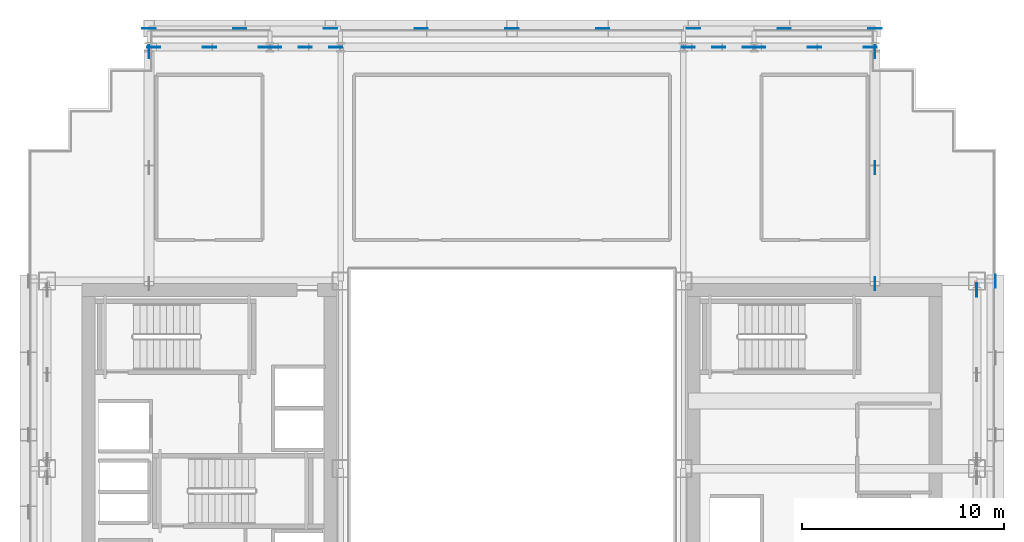
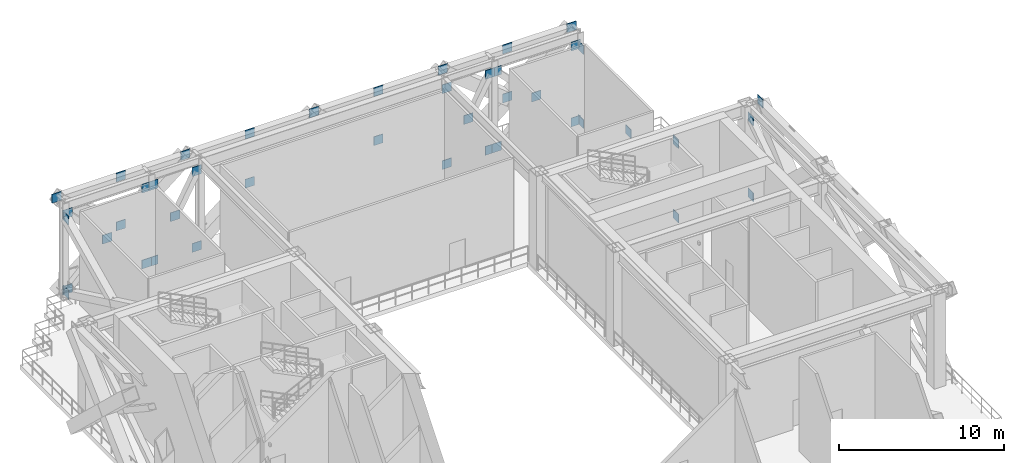
# One storey, part 6 of 14: 43 plates.
"""IFC4 building model written with IfcOpenShell, lengths in metres."""

import ifcopenshell
import ifcopenshell.guid

model = None  # the IFC model being written
_history = None  # IfcOwnerHistory: only IFC2X3 demands one
_inside = {}  # id of a spatial element -> (the spatial element, [elements in it])
_under = {}  # id of a project, library or spatial element -> (it, [spatial elements below it])
_declared = {}  # id of a project -> (the project, [libraries it declares])
_typed = {}  # id of a type object -> (the type object, [elements of that type])
_made_of = {}  # id of a material, layer set ... -> (it, [elements and type objects made of it])


def new_model(schema):
    """Start an empty IFC model of exactly this schema.

    Asked for "IFC4X3", IfcOpenShell would pick the latest addendum, in which some entities
    have other attributes; the version numbers below select the first issue.
    IFC2X3 requires an IfcOwnerHistory on every rooted entity: one is made here for all.
    """
    global model, _history
    if schema == "IFC4X3":
        model = ifcopenshell.file(schema_version=(4, 3, 0, 0))
    else:
        model = ifcopenshell.file(schema=schema)
    _inside.clear()
    _under.clear()
    _declared.clear()
    _typed.clear()
    _made_of.clear()
    _history = None
    if model.schema == "IFC2X3":
        org = make("IfcOrganization", Name="unknown")
        user = make(
            "IfcPersonAndOrganization",
            ThePerson=make("IfcPerson", FamilyName="unknown"),
            TheOrganization=org,
        )
        app = make(
            "IfcApplication",
            ApplicationDeveloper=org,
            Version="unknown",
            ApplicationFullName="unknown",
            ApplicationIdentifier="unknown",
        )
        _history = make(
            "IfcOwnerHistory",
            OwningUser=user,
            OwningApplication=app,
            ChangeAction="ADDED",
            CreationDate=0,
        )
    return model


def make(cls, **values):
    """One entity of the class cls with the attributes given. An attribute that is None is left unset."""
    return model.create_entity(
        cls, **{name: value for name, value in values.items() if value is not None}
    )


def rooted(cls, **values):
    """An entity with a GlobalId (a new one), such as an element, a storey or a relation."""
    return make(cls, GlobalId=ifcopenshell.guid.new(), OwnerHistory=_history, **values)


def si_unit(unit_type, name, prefix=None):
    """IfcSIUnit, for example si_unit("LENGTHUNIT", "METRE", prefix="MILLI")."""
    return make("IfcSIUnit", UnitType=unit_type, Prefix=prefix, Name=name)


def assignment(units):
    """IfcUnitAssignment: the units of a project."""
    return None if units is None else make("IfcUnitAssignment", Units=units)


def point(xyz):
    """IfcCartesianPoint."""
    return None if xyz is None else make("IfcCartesianPoint", Coordinates=xyz)


def direction(xyz):
    """IfcDirection."""
    return None if xyz is None else make("IfcDirection", DirectionRatios=xyz)


def frame(location, z_axis=None, x_axis=None):
    """IfcAxis2Placement3D, a coordinate frame: its origin and axes. An axis left out is left unset."""
    return make(
        "IfcAxis2Placement3D",
        Location=point(location),
        Axis=direction(z_axis),
        RefDirection=direction(x_axis),
    )


def frame_2d(location, x_axis=None):
    """IfcAxis2Placement2D, a coordinate frame in the plane: its origin and x axis."""
    return make(
        "IfcAxis2Placement2D", Location=point(location), RefDirection=direction(x_axis)
    )


def origin():
    """The frame at (0, 0, 0) with its axes left unset."""
    return frame((0.0, 0.0, 0.0))


def origin_2d():
    """The frame at (0, 0) in the plane with its x axis left unset."""
    return frame_2d((0.0, 0.0))


def place(relative_to, where):
    """IfcLocalPlacement: puts the frame where relative to a parent placement (None: the world)."""
    return make(
        "IfcLocalPlacement", PlacementRelTo=relative_to, RelativePlacement=where
    )


def context(
    kind, dimensions, precision=None, world=None, true_north=None, identifier=None
):
    """IfcGeometricRepresentationContext, for example the 3D "Model" context."""
    return make(
        "IfcGeometricRepresentationContext",
        ContextIdentifier=identifier,
        ContextType=kind,
        CoordinateSpaceDimension=dimensions,
        Precision=precision,
        WorldCoordinateSystem=world,
        TrueNorth=true_north,
    )


def subcontext(parent, identifier, kind, view, scale=None):
    """IfcGeometricRepresentationSubContext, for example "Body" below "Model"."""
    return make(
        "IfcGeometricRepresentationSubContext",
        ContextIdentifier=identifier,
        ContextType=kind,
        ParentContext=parent,
        TargetScale=scale,
        TargetView=view,
    )


def project(units=None, contexts=None):
    """IfcProject with its units and contexts."""
    return rooted(
        "IfcProject",
        Name="project",
        RepresentationContexts=contexts,
        UnitsInContext=assignment(units),
    )


def spatial(cls, under=None, at=None, **own):
    """A site, building, storey or space (cls), placed at a placement, below another one or the project."""
    s = rooted(cls, ObjectPlacement=at, **own)
    if under is not None:
        _under.setdefault(under.id(), (under, []))[1].append(s)
    return s


def profile(cls, at=None, kind="AREA", **sizes):
    """A parametric profile (cls). Its sizes go by their IFC names, for example OverallWidth=200.0."""
    return make(cls, ProfileType=kind, Position=at, **sizes)


def rectangle(**sizes):
    """IfcRectangleProfileDef."""
    return profile("IfcRectangleProfileDef", **sizes)


def extrude(swept, where, along, depth):
    """IfcExtrudedAreaSolid: the profile swept, set in the frame where, extruded along a direction by depth."""
    return make(
        "IfcExtrudedAreaSolid",
        SweptArea=swept,
        Position=where,
        ExtrudedDirection=direction(along),
        Depth=depth,
    )


def shape(context_of_items, identifier, shape_type, items):
    """IfcShapeRepresentation: the items that make up one representation, for example the "Body"."""
    return make(
        "IfcShapeRepresentation",
        ContextOfItems=context_of_items,
        RepresentationIdentifier=identifier,
        RepresentationType=shape_type,
        Items=items,
    )


def source(mapping_origin, context_of_items, identifier, shape_type, items):
    """IfcRepresentationMap: a shape defined once, which mapped items show again and again."""
    return make(
        "IfcRepresentationMap",
        MappingOrigin=mapping_origin,
        MappedRepresentation=shape(context_of_items, identifier, shape_type, items),
    )


def transform(
    local_origin,
    x_axis=None,
    y_axis=None,
    z_axis=None,
    scale=None,
    scale2=None,
    scale3=None,
    uniform=True,
):
    """IfcCartesianTransformationOperator3D, or its non-uniform kind. x_axis, y_axis, z_axis: its Axis1, 2, 3."""
    if uniform:
        return make(
            "IfcCartesianTransformationOperator3D",
            Axis1=direction(x_axis),
            Axis2=direction(y_axis),
            LocalOrigin=point(local_origin),
            Scale=scale,
            Axis3=direction(z_axis),
        )
    return make(
        "IfcCartesianTransformationOperator3DnonUniform",
        Axis1=direction(x_axis),
        Axis2=direction(y_axis),
        LocalOrigin=point(local_origin),
        Scale=scale,
        Axis3=direction(z_axis),
        Scale2=scale2,
        Scale3=scale3,
    )


def mapped(mapping_source, mapping_target):
    """IfcMappedItem: shows the shape of a source again, moved by a transform."""
    return make(
        "IfcMappedItem", MappingSource=mapping_source, MappingTarget=mapping_target
    )


def material(Name=None, Category=None):
    """IfcMaterial."""
    return make("IfcMaterial", Name=Name, Category=Category)


def layer(
    of_material, thickness, ventilated=None, Name=None, Category=None, Priority=None
):
    """IfcMaterialLayer: one layer of a wall or slab, of a material (None: an air gap)."""
    return make(
        "IfcMaterialLayer",
        Material=of_material,
        LayerThickness=thickness,
        IsVentilated=ventilated,
        Name=Name,
        Category=Category,
        Priority=Priority,
    )


def layer_set(layers, Name=None):
    """IfcMaterialLayerSet."""
    return make("IfcMaterialLayerSet", MaterialLayers=layers, LayerSetName=Name)


def made_of(thing, what):
    """Note that an element or type object is made of a material, layer set ...; save() writes the relation."""
    if what is not None:
        _made_of.setdefault(what.id(), (what, []))[1].append(thing)
    return thing


def type_object(cls, material=None, **own):
    """A type object (cls), such as IfcWallType, which elements share."""
    return made_of(rooted(cls, **own), material)


def element(
    cls,
    number,
    at=None,
    inside=None,
    cuts=None,
    type_object=None,
    material=None,
    context=None,
    identifier="Body",
    shape_type=None,
    held_by="IfcProductDefinitionShape",
    body=None,
    shapes=None,
    **own,
):
    """One element of the class cls, such as IfcWall. Its Tag is "e" and its number.

    at: its placement. inside: the storey or other place that contains it. cuts: it is an
    opening in that element (IfcRelVoidsElement). A single representation is given by context,
    identifier, shape_type and body (its items); several are given by shapes. held_by: the class
    of the entity that holds the representations. save() writes the other relations.
    """
    e = rooted(cls, Tag="e%d" % number, ObjectPlacement=at, **own)
    if body is not None:
        shapes = [shape(context, identifier, shape_type, body)]
    if shapes is not None:
        e.Representation = make(held_by, Representations=shapes)
    if inside is not None:
        _inside.setdefault(inside.id(), (inside, []))[1].append(e)
    if cuts is not None:
        rooted(
            "IfcRelVoidsElement", RelatingBuildingElement=cuts, RelatedOpeningElement=e
        )
    if type_object is not None:
        _typed.setdefault(type_object.id(), (type_object, []))[1].append(e)
    return made_of(e, material)


def aggregate(whole, parts):
    """IfcRelAggregates: a whole, such as a stair, and the parts it consists of."""
    return rooted("IfcRelAggregates", RelatingObject=whole, RelatedObjects=parts)


def save(model, path):
    """Write the relations noted so far, then the file.

    IfcRelAggregates (storeys below a building ...), IfcRelContainedInSpatialStructure (elements
    in a storey), IfcRelDefinesByType, IfcRelAssociatesMaterial and IfcRelDeclares: one each for
    every whole, place, type object, material and project.
    """
    for whole, parts in _under.values():
        aggregate(whole, parts)
    for where, things in _inside.values():
        rooted(
            "IfcRelContainedInSpatialStructure",
            RelatedElements=things,
            RelatingStructure=where,
        )
    for kind, things in _typed.values():
        rooted("IfcRelDefinesByType", RelatedObjects=things, RelatingType=kind)
    for what, things in _made_of.values():
        rooted("IfcRelAssociatesMaterial", RelatedObjects=things, RelatingMaterial=what)
    for by, libraries in _declared.values():
        rooted("IfcRelDeclares", RelatingContext=by, RelatedDefinitions=libraries)
    model.write(path)


model = new_model("IFC4")

# Units and contexts
model_context = context("Model", 3, precision=1e-05, world=origin(), true_north=direction((0.0, 1.0)))
body_context = subcontext(model_context, "Body", "Model", "MODEL_VIEW")
ifc_project = project(units=[si_unit("LENGTHUNIT", "METRE"), si_unit("AREAUNIT", "SQUARE_METRE"), si_unit("VOLUMEUNIT", "CUBIC_METRE"), si_unit("PLANEANGLEUNIT", "RADIAN"), si_unit("MASSUNIT", "GRAM", prefix="KILO")], contexts=[model_context])

# Site, building, storey
site_placement = place(None, origin())
site = spatial("IfcSite", under=ifc_project, at=site_placement, CompositionType="ELEMENT")
building_placement = place(site_placement, origin())
building = spatial("IfcBuilding", under=site, at=building_placement, Name="Ocotamira Hotel", CompositionType="ELEMENT")
storey_placement = place(building_placement, frame((0.0, 0.0, 85.199951171875)))
storey = spatial("IfcBuildingStorey", under=building, at=storey_placement, Name="L21", CompositionType="ELEMENT", Elevation=85.199951171875)

# Plates
ifc_material = material(Name="Pale-metal coated steel ASTM A572 Grade 50", Category="steel")
ifc_layer = layer(ifc_material, 0.0400390625)
ifc_layer_set = layer_set([ifc_layer], Name="Pale-metal coated steel ASTM A572 Grade 50")
plate_type = type_object("IfcPlateType", Name="PLT-GUSSET-40", PredefinedType="SHEET", material=ifc_layer_set)
shared_shape_1 = source(origin(), body_context, "Body", "SweptSolid", [
    extrude(rectangle(XDim=0.64990234375, YDim=0.0400390625, at=origin_2d()), origin(), (0.0, 0.0, 1.0), 0.64990234375),
])
for number, where, z_axis, x_axis, name in (
    (1, (14.239990234375, 49.050048828125, 0.025146484375), (0.0, 0.0, 1.0), (1.0, 0.0, 0.0), "L21 Belt Truss Diagonal 14,49.05 A End Gusset A"),
    (2, (19.760009765625, 49.050048828125, 5.635009765625), (0.0, 0.0, 1.0), (1.0, 0.0, 0.0), "L21 Belt Truss Diagonal 14,49.05 A End Gusset B"),
    (3, (17.0, 49.050048828125, 2.830078125), (0.0, 0.0, 1.0), (1.0, 0.0, 0.0), "L21 Belt Truss Diagonal 14,49.05 B Crossing Gusset Plate"),
    (4, (14.239990234375, 49.050048828125, 5.635009765625), (0.0, 0.0, 1.0), (1.0, 0.0, 0.0), "L21 Belt Truss Diagonal 14,49.05 B End Gusset A"),
    (5, (19.760009765625, 49.050048828125, 0.025146484375), (0.0, 0.0, 1.0), (1.0, 0.0, 0.0), "L21 Belt Truss Diagonal 14,49.05 B End Gusset B"),
    (6, (20.239990234375, 49.050048828125, 0.025146484375), (0.0, 0.0, 1.0), (1.0, 0.0, 0.0), "L21 Belt Truss Diagonal 20,49.05 A End Gusset A"),
    (7, (23.260009765625, 49.050048828125, 5.635009765625), (0.0, 0.0, 1.0), (1.0, 0.0, 0.0), "L21 Belt Truss Diagonal 20,49.05 A End Gusset B"),
    (8, (21.75, 49.050048828125, 2.830078125), (0.0, 0.0, 1.0), (1.0, 0.0, 0.0), "L21 Belt Truss Diagonal 20,49.05 B Crossing Gusset Plate"),
    (9, (20.239990234375, 49.050048828125, 5.635009765625), (0.0, 0.0, 1.0), (1.0, 0.0, 0.0), "L21 Belt Truss Diagonal 20,49.05 B End Gusset A"),
    (10, (23.260009765625, 49.050048828125, 0.025146484375), (0.0, 0.0, 1.0), (1.0, 0.0, 0.0), "L21 Belt Truss Diagonal 20,49.05 B End Gusset B"),
    (11, (40.739990234375, 49.050048828125, 0.025146484375), (0.0, 0.0, 1.0), (1.0, 0.0, 0.0), "L21 Belt Truss Diagonal 40.5,49.05 A End Gusset A"),
    (12, (43.760009765625, 49.050048828125, 5.635009765625), (0.0, 0.0, 1.0), (1.0, 0.0, 0.0), "L21 Belt Truss Diagonal 40.5,49.05 A End Gusset B"),
    (13, (42.25, 49.050048828125, 2.830078125), (0.0, 0.0, 1.0), (1.0, 0.0, 0.0), "L21 Belt Truss Diagonal 40.5,49.05 B Crossing Gusset Plate"),
    (14, (40.739990234375, 49.050048828125, 5.635009765625), (0.0, 0.0, 1.0), (1.0, 0.0, 0.0), "L21 Belt Truss Diagonal 40.5,49.05 B End Gusset A"),
    (15, (43.760009765625, 49.050048828125, 0.025146484375), (0.0, 0.0, 1.0), (1.0, 0.0, 0.0), "L21 Belt Truss Diagonal 40.5,49.05 B End Gusset B"),
    (16, (44.239990234375, 49.050048828125, 0.025146484375), (0.0, 0.0, 1.0), (1.0, 0.0, 0.0), "L21 Belt Truss Diagonal 44,49.05 A End Gusset A"),
    (17, (49.760009765625, 49.050048828125, 5.635009765625), (0.0, 0.0, 1.0), (1.0, 0.0, 0.0), "L21 Belt Truss Diagonal 44,49.05 A End Gusset B"),
    (18, (47.0, 49.050048828125, 2.830078125), (0.0, 0.0, 1.0), (1.0, 0.0, 0.0), "L21 Belt Truss Diagonal 44,49.05 B Crossing Gusset Plate"),
    (19, (44.239990234375, 49.050048828125, 5.635009765625), (0.0, 0.0, 1.0), (1.0, 0.0, 0.0), "L21 Belt Truss Diagonal 44,49.05 B End Gusset A"),
    (20, (49.760009765625, 49.050048828125, 0.025146484375), (0.0, 0.0, 1.0), (1.0, 0.0, 0.0), "L21 Belt Truss Diagonal 44,49.05 B End Gusset B"),
    (21, (23.0, 49.969970703125, 6.34521484375), (0.0, 0.0, 1.0), (1.0, 0.0, 0.0), "L21 Exoskeleton Diagrid N0.1 End Gusset B"),
    (22, (18.5, 49.969970703125, 2.72509765625), (0.0, 0.0, 1.0), (-1.0, 0.0, 0.0), "L21 Exoskeleton Diagrid N0.2 Crossing Gusset Plate"),
    (23, (14.0, 49.969970703125, 6.34521484375), (0.0, 0.0, 1.0), (-1.0, 0.0, 0.0), "L21 Exoskeleton Diagrid N0.2 End Gusset B"),
    (24, (32.0, 49.969970703125, 6.34521484375), (0.0, 0.0, 1.0), (1.0, 0.0, 0.0), "L21 Exoskeleton Diagrid N1.1 End Gusset B"),
    (25, (27.5, 49.969970703125, 2.72509765625), (0.0, 0.0, 1.0), (-1.0, 0.0, 0.0), "L21 Exoskeleton Diagrid N1.2 Crossing Gusset Plate"),
    (26, (41.0, 49.969970703125, 6.34521484375), (0.0, 0.0, 1.0), (1.0, 0.0, 0.0), "L21 Exoskeleton Diagrid N2.1 End Gusset B"),
    (27, (36.5, 49.969970703125, 2.72509765625), (0.0, 0.0, 1.0), (-1.0, 0.0, 0.0), "L21 Exoskeleton Diagrid N2.2 Crossing Gusset Plate"),
    (28, (50.0, 49.969970703125, 6.34521484375), (0.0, 0.0, 1.0), (1.0, 0.0, 0.0), "L21 Exoskeleton Diagrid N3.1 End Gusset B"),
    (29, (45.5, 49.969970703125, 2.72509765625), (0.0, 0.0, 1.0), (-1.0, 0.0, 0.0), "L21 Exoskeleton Diagrid N3.2 Crossing Gusset Plate"),
    (30, (18.5, 49.969970703125, 6.34521484375), (0.0, 0.0, 1.0), (-1.0, 0.0, 0.0), "L21 Exoskeleton Diagrid N0.1 End Gusset A"),
    (31, (27.5, 49.969970703125, 6.34521484375), (0.0, 0.0, 1.0), (-1.0, 0.0, 0.0), "L21 Exoskeleton Diagrid N1.1 End Gusset A"),
    (32, (36.5, 49.969970703125, 6.34521484375), (0.0, 0.0, 1.0), (-1.0, 0.0, 0.0), "L21 Exoskeleton Diagrid N2.1 End Gusset A"),
    (33, (45.5, 49.969970703125, 6.34521484375), (0.0, 0.0, 1.0), (-1.0, 0.0, 0.0), "L21 Exoskeleton Diagrid N3.1 End Gusset A"),
):
    element("IfcPlate", number, at=place(storey_placement, frame(where, z_axis=z_axis, x_axis=x_axis)), inside=storey, type_object=plate_type, Name=name, PredefinedType="SHEET", context=body_context, shape_type="MappedRepresentation", body=[
        mapped(shared_shape_1, transform((0.0, 0.0, 0.0), scale=1.0)),
    ])
shared_shape_2 = source(origin(), body_context, "Body", "SweptSolid", [
    extrude(rectangle(XDim=0.0400390625, YDim=0.64990234375, at=origin_2d()), origin(), (0.0, 0.0, 1.0), 0.64990234375),
])
for number, where, z_axis, x_axis, name in (
    (34, (14.0, 48.820068359375, 5.51513671875), (0.0, 0.0, 1.0), (1.0, 0.0, 0.0), "L21 Outrigger Truss N X14 A End Gusset B"),
    (35, (14.0, 48.820068359375, 0.025146484375), (0.0, 0.0, 1.0), (1.0, 0.0, 0.0), "L21 Outrigger Truss N X14 B End Gusset B"),
    (36, (50.0, 37.324951171875, 0.025146484375), (0.0, 0.0, 1.0), (1.0, 0.0, 0.0), "L21 Outrigger Truss N X50 A End Gusset A"),
    (37, (50.0, 48.820068359375, 5.51513671875), (0.0, 0.0, 1.0), (1.0, 0.0, 0.0), "L21 Outrigger Truss N X50 A End Gusset B"),
    (38, (50.0, 43.072509765625, 2.77001953125), (0.0, 0.0, 1.0), (1.0, 0.0, 0.0), "L21 Outrigger Truss N X50 B Crossing Gusset Plate"),
    (39, (50.0, 37.324951171875, 5.51513671875), (0.0, 0.0, 1.0), (1.0, 0.0, 0.0), "L21 Outrigger Truss N X50 B End Gusset A"),
    (40, (50.0, 48.820068359375, 0.025146484375), (0.0, 0.0, 1.0), (1.0, 0.0, 0.0), "L21 Outrigger Truss N X50 B End Gusset B"),
    (41, (55.050048828125, 37.010009765625, 5.635009765625), (0.0, 0.0, 1.0), (1.0, 0.0, 0.0), "L21 Belt Truss Diagonal 55.05,28.15 A End Gusset B"),
    (42, (55.050048828125, 37.010009765625, 0.025146484375), (0.0, 0.0, 1.0), (1.0, 0.0, 0.0), "L21 Belt Truss Diagonal 55.05,28.15 B End Gusset B"),
    (43, (55.969970703125, 37.449951171875, 6.34521484375), (0.0, 0.0, 1.0), (1.0, 0.0, 0.0), "L21 Exoskeleton Diagrid E2.1 End Gusset B"),
):
    element("IfcPlate", number, at=place(storey_placement, frame(where, z_axis=z_axis, x_axis=x_axis)), inside=storey, type_object=plate_type, Name=name, PredefinedType="SHEET", context=body_context, shape_type="MappedRepresentation", body=[
        mapped(shared_shape_2, transform((0.0, 0.0, 0.0), scale=1.0)),
    ])

save(model, "model.ifc")
